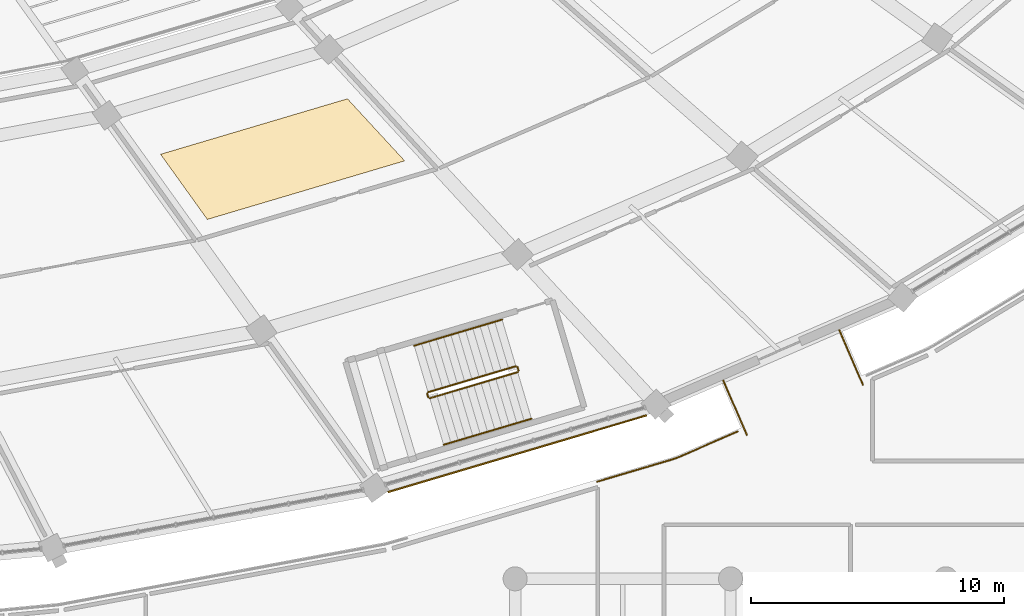
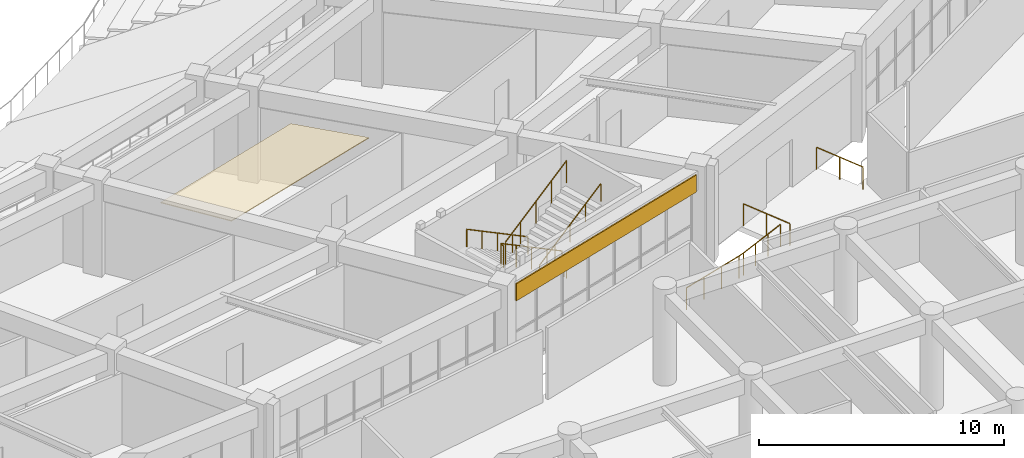
# One storey, part 134 of 152: 9 railings, 2 coverings.
"""IFC4 building model written with IfcOpenShell, lengths in metres."""

from ifc_helpers import new_model, si_unit, direction, frame, origin, origin_2d, place, context, subcontext, project, spatial, polyline, rectangle, circle, outline, extrude, material, layer, layer_set, type_object, element, save


model = new_model("IFC4")

# Units and contexts
model_context = context("Model", 3, precision=1e-05, world=origin(), true_north=direction((0.0, 1.0)))
body_context = subcontext(model_context, "Body", "Model", "MODEL_VIEW")
ifc_project = project(units=[si_unit("LENGTHUNIT", "METRE"), si_unit("AREAUNIT", "SQUARE_METRE"), si_unit("VOLUMEUNIT", "CUBIC_METRE"), si_unit("PLANEANGLEUNIT", "RADIAN"), si_unit("MASSUNIT", "GRAM", prefix="KILO")], contexts=[model_context])

# Site, building, storey
site_placement = place(None, origin())
site = spatial("IfcSite", under=ifc_project, at=site_placement, CompositionType="ELEMENT")
building_placement = place(site_placement, origin())
building = spatial("IfcBuilding", under=site, at=building_placement, Name="Mphavela Belvedere Stadium", CompositionType="ELEMENT")
storey_placement = place(building_placement, frame((0.0, 0.0, 5.39990234375)))
storey = spatial("IfcBuildingStorey", under=building, at=storey_placement, Name="L01", CompositionType="ELEMENT", Elevation=5.39990234375)

# Coverings
ifc_material_1 = material(Name="Perforated acoustic mineral ceiling tile")
ifc_layer_1 = layer(ifc_material_1, 0.0400390625)
ifc_layer_set_1 = layer_set([ifc_layer_1], Name="Perforated acoustic mineral ceiling tile")
covering_type_1 = type_object("IfcCoveringType", Name="COV-CEILING-ACOUSTIC", PredefinedType="CEILING", material=ifc_layer_set_1)
covering_1_placement = place(storey_placement, frame((0.0, 0.0, 3.5)))
element("IfcCovering", 1, at=covering_1_placement, inside=storey, type_object=covering_type_1, Name="Concourse acoustic ceiling L01-40", PredefinedType="CEILING", context=body_context, shape_type="SweptSolid", body=[
    extrude(outline(polyline([(156.34765625, 30.79248046875), (163.7392578125, 32.986572265625), (166.002197265625, 30.532470703125), (158.197021484375, 28.2158203125), (156.34765625, 30.79248046875)])), origin(), (0.0, 0.0, 1.0), 0.0400390625),
])
ifc_material_2 = material(Name="Carved classical limestone entablature frieze cladding", Category="masonry")
ifc_layer_2 = layer(ifc_material_2, 0.06005859375)
ifc_layer_set_2 = layer_set([ifc_layer_2], Name="Carved classical limestone entablature frieze cladding")
covering_type_2 = type_object("IfcCoveringType", Name="COV-FRIEZE-CLAD", PredefinedType="CLADDING", material=ifc_layer_set_2)
covering_2_placement = place(storey_placement, frame((170.46044921875, 18.94921875, 3.594970703125), z_axis=(0.0, 0.0, 1.0), x_axis=(0.958670893355, 0.284517342588, 0.0)))
element("IfcCovering", 2, at=covering_2_placement, inside=storey, type_object=covering_type_2, Name="Classical entablature frieze cladding L01-40", PredefinedType="CLADDING", context=body_context, shape_type="SweptSolid", body=[
    extrude(rectangle(XDim=10.670654296875, YDim=0.06005859375, at=origin_2d()), origin(), (0.0, 0.0, 1.0), 0.85009765625),
])

# Railings
ifc_material_3 = material(Name="Bronze and laminated glass stadium balustrade", Category="glass")
railing_type_1 = type_object("IfcRailingType", Name="RAL-BALUSTRADE-1120", PredefinedType="BALUSTRADE", material=ifc_material_3)
railing_1_placement = place(storey_placement, frame((178.602783203125, 21.84619140625, 0.0)))
element("IfcRailing", 3, at=railing_1_placement, inside=storey, type_object=railing_type_1, Name="Colonnade link bridge balustrade L01-41A", PredefinedType="BALUSTRADE", context=body_context, shape_type="SweptSolid", body=[
    extrude(circle(Radius=0.02392578125, at=origin_2d()), frame((0.0, 0.0, 1.09619140625), z_axis=(0.397677406785, -0.917525302176, 0.0), x_axis=(0.917525302176, 0.397677406785, 0.0)), (0.0, 0.0, 1.0), 2.35009765625),
    extrude(circle(Radius=0.02099609375, at=origin_2d()), origin(), (0.0, 0.0, 1.0), 1.072021484375),
    extrude(circle(Radius=0.02099609375, at=origin_2d()), frame((0.46728515625, -1.078125, 0.0)), (0.0, 0.0, 1.0), 1.072021484375),
    extrude(circle(Radius=0.02099609375, at=origin_2d()), frame((0.9345703125, -2.15625, 0.0)), (0.0, 0.0, 1.0), 1.072021484375),
])
railing_2_placement = place(storey_placement, frame((183.190185546875, 23.834716796875, 0.0)))
element("IfcRailing", 4, at=railing_2_placement, inside=storey, type_object=railing_type_1, Name="Colonnade link bridge balustrade L01-41B", PredefinedType="BALUSTRADE", context=body_context, shape_type="SweptSolid", body=[
    extrude(circle(Radius=0.02392578125, at=origin_2d()), frame((0.0, 0.0, 1.09619140625), z_axis=(0.397802772945, -0.91747095531, 0.0), x_axis=(0.91747095531, 0.397802772945, 0.0)), (0.0, 0.0, 1.0), 2.349853515625),
    extrude(circle(Radius=0.02099609375, at=origin_2d()), origin(), (0.0, 0.0, 1.0), 1.072021484375),
    extrude(circle(Radius=0.02099609375, at=origin_2d()), frame((0.46728515625, -1.078125, 0.0)), (0.0, 0.0, 1.0), 1.072021484375),
    extrude(circle(Radius=0.02099609375, at=origin_2d()), frame((0.934814453125, -2.156005859375, 0.0)), (0.0, 0.0, 1.0), 1.072021484375),
])
railing_3_placement = place(storey_placement, frame((173.6171875, 17.841796875, 0.0)))
element("IfcRailing", 5, at=railing_3_placement, inside=storey, type_object=railing_type_1, Name="Peristyle wing gallery edge balustrade L01-06", PredefinedType="BALUSTRADE", context=body_context, shape_type="SweptSolid", body=[
    extrude(circle(Radius=0.02392578125, at=origin_2d()), frame((0.0, 0.0, 1.09619140625), z_axis=(0.958645524177, 0.284602809148, 0.0), x_axis=(-0.284602809148, 0.958645524177, 0.0)), (0.0, 0.0, 1.0), 3.101806640625),
    extrude(circle(Radius=0.02392578125, at=origin_2d()), frame((2.9736328125, 0.8828125, 1.09619140625), z_axis=(0.939740596708, 0.341888301786, 0.0), x_axis=(-0.341888301786, 0.939740596708, 0.0)), (0.0, 0.0, 1.0), 0.27001953125),
    extrude(circle(Radius=0.02392578125, at=origin_2d()), frame((3.227294921875, 0.97509765625, 1.09619140625), z_axis=(0.917490104343, 0.397758605731, 0.0), x_axis=(-0.397758605731, 0.917490104343, 0.0)), (0.0, 0.0, 1.0), 2.5380859375),
    extrude(circle(Radius=0.02099609375, at=origin_2d()), origin(), (0.0, 0.0, 1.0), 1.072021484375),
    extrude(circle(Radius=0.02099609375, at=origin_2d()), frame((0.9912109375, 0.294189453125, 0.0)), (0.0, 0.0, 1.0), 1.072021484375),
    extrude(circle(Radius=0.02099609375, at=origin_2d()), frame((1.982421875, 0.588623046875, 0.0)), (0.0, 0.0, 1.0), 1.072021484375),
    extrude(circle(Radius=0.02099609375, at=origin_2d()), frame((2.9736328125, 0.8828125, 0.0)), (0.0, 0.0, 1.0), 1.072021484375),
    extrude(circle(Radius=0.02099609375, at=origin_2d()), frame((3.227294921875, 0.97509765625, 0.0)), (0.0, 0.0, 1.0), 1.072021484375),
    extrude(circle(Radius=0.02099609375, at=origin_2d()), frame((4.00341796875, 1.3115234375, 0.0)), (0.0, 0.0, 1.0), 1.072021484375),
    extrude(circle(Radius=0.02099609375, at=origin_2d()), frame((4.77978515625, 1.648193359375, 0.0)), (0.0, 0.0, 1.0), 1.072021484375),
    extrude(circle(Radius=0.02099609375, at=origin_2d()), frame((5.555908203125, 1.984619140625, 0.0)), (0.0, 0.0, 1.0), 1.072021484375),
])
ifc_material_4 = material(Name="Painted galvanised steel stair guardrail", Category="steel")
railing_type_2 = type_object("IfcRailingType", Name="RAL-GUARD-1120", PredefinedType="GUARDRAIL", material=ifc_material_4)
railing_4_placement = place(storey_placement, frame((170.39990234375, 22.41259765625, 0.184814453125)))
element("IfcRailing", 6, at=railing_4_placement, inside=storey, type_object=railing_type_2, Name="L01 ST-P04 stair guard 1", PredefinedType="GUARDRAIL", context=body_context, shape_type="SweptSolid", body=[
    extrude(circle(Radius=0.02392578125, at=origin_2d()), frame((0.0, 0.0, 1.09619140625), z_axis=(-0.817945638639, -0.242739594657, 0.521576860507), x_axis=(0.284503482323, -0.958675006739, 0.0)), (0.0, 0.0, 1.0), 4.247314453125),
    extrude(circle(Radius=0.02099609375, at=origin_2d()), origin(), (0.0, 0.0, 1.0), 1.072021484375),
    extrude(circle(Radius=0.02099609375, at=origin_2d()), frame((-0.86865234375, -0.2578125, 0.5537109375)), (0.0, 0.0, 1.0), 1.072021484375),
    extrude(circle(Radius=0.02099609375, at=origin_2d()), frame((-1.737060546875, -0.515625, 1.107666015625)), (0.0, 0.0, 1.0), 1.072021484375),
    extrude(circle(Radius=0.02099609375, at=origin_2d()), frame((-2.60546875, -0.773193359375, 1.66162109375)), (0.0, 0.0, 1.0), 1.072021484375),
    extrude(circle(Radius=0.02099609375, at=origin_2d()), frame((-3.47412109375, -1.031005859375, 2.21533203125)), (0.0, 0.0, 1.0), 1.072021484375),
])
railing_5_placement = place(storey_placement, frame((166.89208984375, 21.3193359375, 2.400146484375)))
element("IfcRailing", 7, at=railing_5_placement, inside=storey, type_object=railing_type_2, Name="L01 ST-P04 stair guard 2", PredefinedType="GUARDRAIL", context=body_context, shape_type="SweptSolid", body=[
    extrude(circle(Radius=0.02392578125, at=origin_2d()), frame((0.0, 0.0, 1.09619140625), z_axis=(0.284808608521, -0.958584402394, 0.0), x_axis=(0.958584402394, 0.284808608521, 0.0)), (0.0, 0.0, 1.0), 0.14990234375),
    extrude(circle(Radius=0.02099609375, at=origin_2d()), origin(), (0.0, 0.0, 1.0), 1.072021484375),
    extrude(circle(Radius=0.02099609375, at=origin_2d()), frame((0.042724609375, -0.143798828125, 0.0)), (0.0, 0.0, 1.0), 1.072021484375),
])
railing_6_placement = place(storey_placement, frame((166.996826171875, 21.141845703125, 2.584716796875)))
element("IfcRailing", 8, at=railing_6_placement, inside=storey, type_object=railing_type_2, Name="L01 ST-P04 stair guard 3", PredefinedType="GUARDRAIL", context=body_context, shape_type="SweptSolid", body=[
    extrude(circle(Radius=0.02392578125, at=origin_2d()), frame((0.0, 0.0, 1.09619140625), z_axis=(0.817953248379, 0.242782272585, 0.521545061893), x_axis=(-0.284547020377, 0.958662084988, 0.0)), (0.0, 0.0, 1.0), 4.24755859375),
    extrude(circle(Radius=0.02099609375, at=origin_2d()), origin(), (0.0, 0.0, 1.0), 1.072021484375),
    extrude(circle(Radius=0.02099609375, at=origin_2d()), frame((0.86865234375, 0.2578125, 0.5537109375)), (0.0, 0.0, 1.0), 1.072021484375),
    extrude(circle(Radius=0.02099609375, at=origin_2d()), frame((1.7373046875, 0.515625, 1.107666015625)), (0.0, 0.0, 1.0), 1.072021484375),
    extrude(circle(Radius=0.02099609375, at=origin_2d()), frame((2.605712890625, 0.7734375, 1.66162109375)), (0.0, 0.0, 1.0), 1.072021484375),
    extrude(circle(Radius=0.02099609375, at=origin_2d()), frame((3.474365234375, 1.03125, 2.21533203125)), (0.0, 0.0, 1.0), 1.072021484375),
])
railing_7_placement = place(storey_placement, frame((170.462158203125, 22.37890625, 0.0)))
element("IfcRailing", 9, at=railing_7_placement, inside=storey, type_object=railing_type_2, Name="L01 ST-P04 stair guard 4", PredefinedType="GUARDRAIL", context=body_context, shape_type="SweptSolid", body=[
    extrude(circle(Radius=0.02392578125, at=origin_2d()), frame((0.0, 0.0, 1.09619140625), z_axis=(0.284808608521, -0.958584402394, 0.0), x_axis=(0.958584402394, 0.284808608521, 0.0)), (0.0, 0.0, 1.0), 0.14990234375),
    extrude(circle(Radius=0.02099609375, at=origin_2d()), origin(), (0.0, 0.0, 1.0), 1.072021484375),
    extrude(circle(Radius=0.02099609375, at=origin_2d()), frame((0.042724609375, -0.143798828125, 0.0)), (0.0, 0.0, 1.0), 1.072021484375),
])
ifc_material_5 = material(Name="Brushed stainless steel tubular handrail", Category="steel")
railing_type_3 = type_object("IfcRailingType", Name="RAL-HANDRAIL-900", PredefinedType="HANDRAIL", material=ifc_material_5)
railing_8_placement = place(storey_placement, frame((169.853759765625, 24.25341796875, 0.184814453125)))
element("IfcRailing", 10, at=railing_8_placement, inside=storey, type_object=railing_type_3, Name="L01 ST-P04 stair handrail 1", PredefinedType="HANDRAIL", context=body_context, shape_type="SweptSolid", body=[
    extrude(circle(Radius=0.02392578125, at=origin_2d()), frame((0.0, 0.0, 0.8759765625), z_axis=(-0.817953248379, -0.242782272585, 0.521545061893), x_axis=(0.284547020377, -0.958662084988, 0.0)), (0.0, 0.0, 1.0), 4.24755859375),
    extrude(circle(Radius=0.02099609375, at=origin_2d()), origin(), (0.0, 0.0, 1.0), 0.851806640625),
    extrude(circle(Radius=0.02099609375, at=origin_2d()), frame((-0.86865234375, -0.2578125, 0.5537109375)), (0.0, 0.0, 1.0), 0.851806640625),
    extrude(circle(Radius=0.02099609375, at=origin_2d()), frame((-1.7373046875, -0.515625, 1.107666015625)), (0.0, 0.0, 1.0), 0.851806640625),
    extrude(circle(Radius=0.02099609375, at=origin_2d()), frame((-2.605712890625, -0.7734375, 1.66162109375)), (0.0, 0.0, 1.0), 0.851806640625),
    extrude(circle(Radius=0.02099609375, at=origin_2d()), frame((-3.474365234375, -1.03125, 2.21533203125)), (0.0, 0.0, 1.0), 0.851806640625),
])
railing_9_placement = place(storey_placement, frame((167.543212890625, 19.30126953125, 2.584716796875)))
element("IfcRailing", 11, at=railing_9_placement, inside=storey, type_object=railing_type_3, Name="L01 ST-P04 stair handrail 2", PredefinedType="HANDRAIL", context=body_context, shape_type="SweptSolid", body=[
    extrude(circle(Radius=0.02392578125, at=origin_2d()), frame((0.0, 0.0, 0.8759765625), z_axis=(0.817945638639, 0.242739594657, 0.521576860507), x_axis=(-0.284503482323, 0.958675006739, 0.0)), (0.0, 0.0, 1.0), 4.247314453125),
    extrude(circle(Radius=0.02099609375, at=origin_2d()), origin(), (0.0, 0.0, 1.0), 0.851806640625),
    extrude(circle(Radius=0.02099609375, at=origin_2d()), frame((0.86865234375, 0.2578125, 0.5537109375)), (0.0, 0.0, 1.0), 0.851806640625),
    extrude(circle(Radius=0.02099609375, at=origin_2d()), frame((1.737060546875, 0.515625, 1.107666015625)), (0.0, 0.0, 1.0), 0.851806640625),
    extrude(circle(Radius=0.02099609375, at=origin_2d()), frame((2.60546875, 0.773193359375, 1.66162109375)), (0.0, 0.0, 1.0), 0.851806640625),
    extrude(circle(Radius=0.02099609375, at=origin_2d()), frame((3.47412109375, 1.031005859375, 2.21533203125)), (0.0, 0.0, 1.0), 0.851806640625),
])

save(model, "model.ifc")
